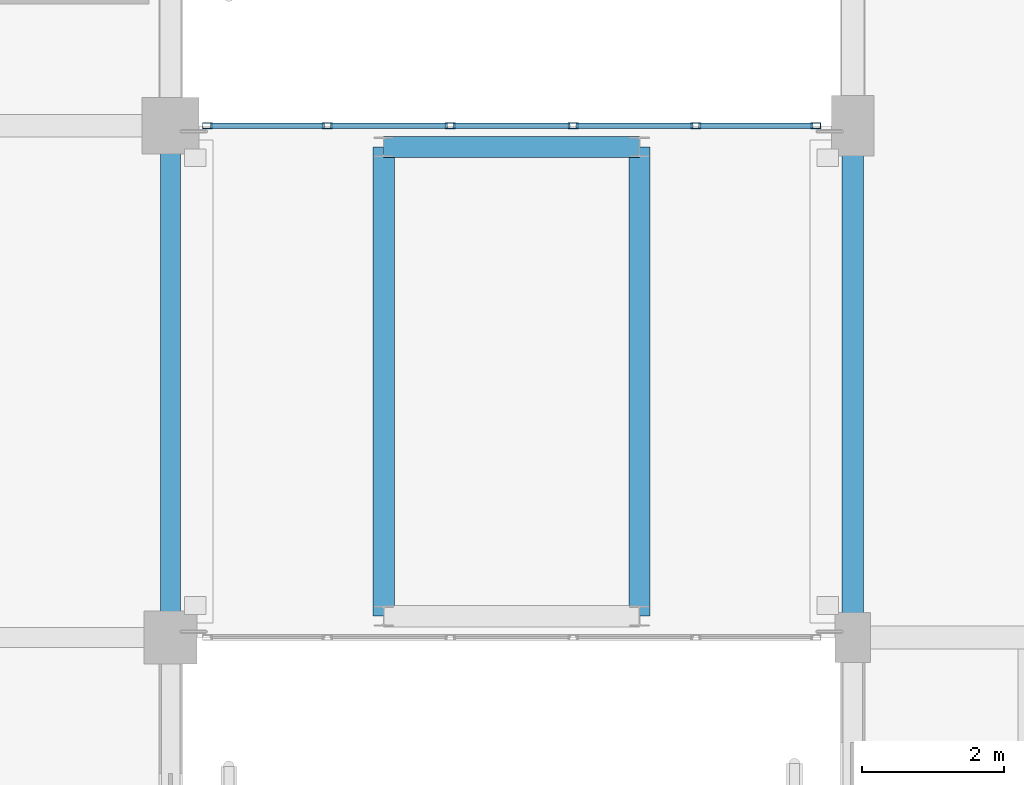
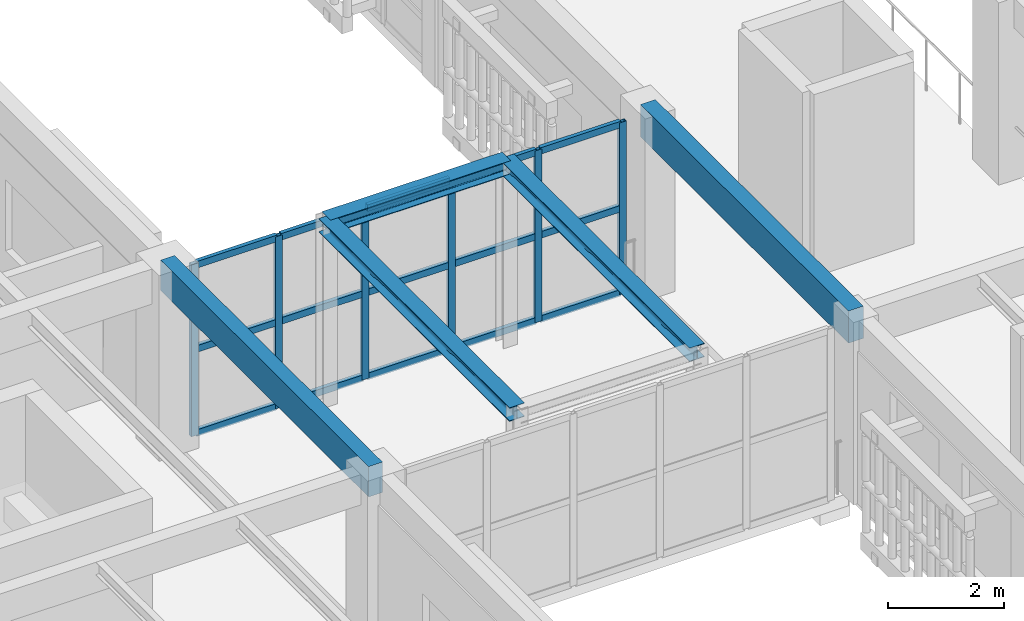
# One storey, part 50 of 170: 21 members, 5 beams, 1 element without a shape of its own.
"""IFC4 building model written with IfcOpenShell, lengths in metres."""

from ifc_helpers import new_model, si_unit, direction, frame, origin, origin_2d, place, context, subcontext, project, spatial, rectangle, hollow_rectangle, i_section, extrude, material, layer, layer_set, material_profile, profile_set, type_object, element, aggregate, save


model = new_model("IFC4")

# Units and contexts
model_context = context("Model", 3, precision=1e-05, world=origin(), true_north=direction((0.0, 1.0)))
body_context = subcontext(model_context, "Body", "Model", "MODEL_VIEW")
ifc_project = project(units=[si_unit("LENGTHUNIT", "METRE"), si_unit("AREAUNIT", "SQUARE_METRE"), si_unit("VOLUMEUNIT", "CUBIC_METRE"), si_unit("PLANEANGLEUNIT", "RADIAN"), si_unit("MASSUNIT", "GRAM", prefix="KILO")], contexts=[model_context])

# Site, building, storey
site_placement = place(None, origin())
site = spatial("IfcSite", under=ifc_project, at=site_placement, CompositionType="ELEMENT")
building_placement = place(site_placement, origin())
building = spatial("IfcBuilding", under=site, at=building_placement, Name="Mazaris Harbour Polytechnic", CompositionType="ELEMENT")
storey_placement = place(building_placement, frame((0.0, 0.0, 5.39990234375)))
storey = spatial("IfcBuildingStorey", under=building, at=storey_placement, Name="L01", CompositionType="ELEMENT", Elevation=5.39990234375)

# Curtain wall, members
ifc_material_1 = material(Name="Anodised Bronze Aluminium and Low-E Glass", Category="aluminium")
ifc_layer = layer(ifc_material_1, 0.139892578125, Name="Anodised Bronze Aluminium and Low-E Glass")
ifc_layer_set = layer_set([ifc_layer], Name="Anodised Bronze Aluminium and Low-E Glass")
curtain_wall_type = type_object("IfcCurtainWallType", Name="Seismic Link Bridge Glazing", PredefinedType="NOTDEFINED", material=ifc_layer_set)
curtain_wall_placement = place(storey_placement, origin())
curtain_wall = element("IfcCurtainWall", 1, at=curtain_wall_placement, inside=storey, type_object=curtain_wall_type, Name="PB-E1 L01 Bridge Glazing", PredefinedType="NOTDEFINED")
ifc_material_2 = material(Name="Anodised Bronze Steel S355", Category="steel")
ifc_material_profile_1 = material_profile(ifc_material_2, hollow_rectangle(XDim=0.080078125, YDim=0.139892578125, WallThickness=0.00634765625, at=origin_2d()), Name="RHS 80x140x6.3")
ifc_profile_set_1 = profile_set([ifc_material_profile_1], Name="Anodised Bronze Steel S355")
member_type_1 = type_object("IfcMemberType", Name="Curtain Mullion RHS80x140", PredefinedType="MULLION", material=ifc_profile_set_1)
member_1_placement = place(storey_placement, frame((121.8798828125, 28.800048828125, 0.0), z_axis=(0.0, 0.0, 1.0), x_axis=(0.0, -1.0, 0.0)))
member_1 = element("IfcMember", 2, at=member_1_placement, type_object=member_type_1, Name="CW-05 mullion 1", PredefinedType="MULLION", context=body_context, shape_type="SweptSolid", body=[
    extrude(hollow_rectangle(XDim=0.080078125, YDim=0.139892578125, WallThickness=0.00634765625, at=origin_2d()), origin(), (0.0, 0.0, 1.0), 3.635009765625),
])
member_2_placement = place(storey_placement, frame((120.19189453125, 28.800048828125, 0.0), z_axis=(0.0, 0.0, 1.0), x_axis=(0.0, -1.0, 0.0)))
member_2 = element("IfcMember", 3, at=member_2_placement, type_object=member_type_1, Name="CW-05 mullion 2", PredefinedType="MULLION", context=body_context, shape_type="SweptSolid", body=[
    extrude(hollow_rectangle(XDim=0.080078125, YDim=0.139892578125, WallThickness=0.00634765625, at=origin_2d()), origin(), (0.0, 0.0, 1.0), 3.635009765625),
])
member_3_placement = place(storey_placement, frame((118.464111328125, 28.800048828125, 0.0), z_axis=(0.0, 0.0, 1.0), x_axis=(0.0, -1.0, 0.0)))
member_3 = element("IfcMember", 4, at=member_3_placement, type_object=member_type_1, Name="CW-05 mullion 3", PredefinedType="MULLION", context=body_context, shape_type="SweptSolid", body=[
    extrude(hollow_rectangle(XDim=0.080078125, YDim=0.139892578125, WallThickness=0.00634765625, at=origin_2d()), origin(), (0.0, 0.0, 1.0), 3.635009765625),
])
member_4_placement = place(storey_placement, frame((116.736083984375, 28.800048828125, 0.0), z_axis=(0.0, 0.0, 1.0), x_axis=(0.0, -1.0, 0.0)))
member_4 = element("IfcMember", 5, at=member_4_placement, type_object=member_type_1, Name="CW-05 mullion 4", PredefinedType="MULLION", context=body_context, shape_type="SweptSolid", body=[
    extrude(hollow_rectangle(XDim=0.080078125, YDim=0.139892578125, WallThickness=0.00634765625, at=origin_2d()), origin(), (0.0, 0.0, 1.0), 3.635009765625),
])
member_5_placement = place(storey_placement, frame((115.008056640625, 28.800048828125, 0.0), z_axis=(0.0, 0.0, 1.0), x_axis=(0.0, -1.0, 0.0)))
member_5 = element("IfcMember", 6, at=member_5_placement, type_object=member_type_1, Name="CW-05 mullion 5", PredefinedType="MULLION", context=body_context, shape_type="SweptSolid", body=[
    extrude(hollow_rectangle(XDim=0.080078125, YDim=0.139892578125, WallThickness=0.00634765625, at=origin_2d()), origin(), (0.0, 0.0, 1.0), 3.635009765625),
])
member_6_placement = place(storey_placement, frame((113.320068359375, 28.800048828125, 0.0), z_axis=(0.0, 0.0, 1.0), x_axis=(0.0, -1.0, 0.0)))
member_6 = element("IfcMember", 7, at=member_6_placement, type_object=member_type_1, Name="CW-05 mullion 6", PredefinedType="MULLION", context=body_context, shape_type="SweptSolid", body=[
    extrude(hollow_rectangle(XDim=0.080078125, YDim=0.139892578125, WallThickness=0.00634765625, at=origin_2d()), origin(), (0.0, 0.0, 1.0), 3.635009765625),
])
ifc_material_3 = material(Name="Anodised Bronze Steel S355", Category="steel")
ifc_material_profile_2 = material_profile(ifc_material_3, hollow_rectangle(XDim=0.080078125, YDim=0.139892578125, WallThickness=0.00634765625, at=origin_2d()), Name="RHS 80x140x6.3")
ifc_profile_set_2 = profile_set([ifc_material_profile_2], Name="Anodised Bronze Steel S355")
member_type_2 = type_object("IfcMemberType", Name="Curtain Transom RHS80x140", PredefinedType="USERDEFINED", material=ifc_profile_set_2)
member_7_placement = place(storey_placement, frame((121.840087890625, 28.800048828125, 0.0400390625), z_axis=(-1.0, 0.0, 0.0), x_axis=(0.0, -1.0, 0.0)))
member_7 = element("IfcMember", 8, at=member_7_placement, type_object=member_type_2, Name="CW-05 transom 1.1", ObjectType="TRANSOM", PredefinedType="USERDEFINED", context=body_context, shape_type="SweptSolid", body=[
    extrude(hollow_rectangle(XDim=0.080078125, YDim=0.139892578125, WallThickness=0.00634765625, at=origin_2d()), origin(), (0.0, 0.0, 1.0), 1.608154296875),
])
member_8_placement = place(storey_placement, frame((121.840087890625, 28.800048828125, 1.817626953125), z_axis=(-1.0, 0.0, 0.0), x_axis=(0.0, -1.0, 0.0)))
member_8 = element("IfcMember", 9, at=member_8_placement, type_object=member_type_2, Name="CW-05 transom 1.2", ObjectType="TRANSOM", PredefinedType="USERDEFINED", context=body_context, shape_type="SweptSolid", body=[
    extrude(hollow_rectangle(XDim=0.080078125, YDim=0.139892578125, WallThickness=0.00634765625, at=origin_2d()), origin(), (0.0, 0.0, 1.0), 1.608154296875),
])
member_9_placement = place(storey_placement, frame((121.840087890625, 28.800048828125, 3.59521484375), z_axis=(-1.0, 0.0, 0.0), x_axis=(0.0, -1.0, 0.0)))
member_9 = element("IfcMember", 10, at=member_9_placement, type_object=member_type_2, Name="CW-05 transom 1.3", ObjectType="TRANSOM", PredefinedType="USERDEFINED", context=body_context, shape_type="SweptSolid", body=[
    extrude(hollow_rectangle(XDim=0.080078125, YDim=0.139892578125, WallThickness=0.00634765625, at=origin_2d()), origin(), (0.0, 0.0, 1.0), 1.608154296875),
])
member_10_placement = place(storey_placement, frame((120.152099609375, 28.800048828125, 0.0400390625), z_axis=(-1.0, 0.0, 0.0), x_axis=(0.0, -1.0, 0.0)))
member_10 = element("IfcMember", 11, at=member_10_placement, type_object=member_type_2, Name="CW-05 transom 2.1", ObjectType="TRANSOM", PredefinedType="USERDEFINED", context=body_context, shape_type="SweptSolid", body=[
    extrude(hollow_rectangle(XDim=0.080078125, YDim=0.139892578125, WallThickness=0.00634765625, at=origin_2d()), origin(), (0.0, 0.0, 1.0), 1.648193359375),
])
member_11_placement = place(storey_placement, frame((120.152099609375, 28.800048828125, 1.817626953125), z_axis=(-1.0, 0.0, 0.0), x_axis=(0.0, -1.0, 0.0)))
member_11 = element("IfcMember", 12, at=member_11_placement, type_object=member_type_2, Name="CW-05 transom 2.2", ObjectType="TRANSOM", PredefinedType="USERDEFINED", context=body_context, shape_type="SweptSolid", body=[
    extrude(hollow_rectangle(XDim=0.080078125, YDim=0.139892578125, WallThickness=0.00634765625, at=origin_2d()), origin(), (0.0, 0.0, 1.0), 1.648193359375),
])
member_12_placement = place(storey_placement, frame((120.152099609375, 28.800048828125, 3.59521484375), z_axis=(-1.0, 0.0, 0.0), x_axis=(0.0, -1.0, 0.0)))
member_12 = element("IfcMember", 13, at=member_12_placement, type_object=member_type_2, Name="CW-05 transom 2.3", ObjectType="TRANSOM", PredefinedType="USERDEFINED", context=body_context, shape_type="SweptSolid", body=[
    extrude(hollow_rectangle(XDim=0.080078125, YDim=0.139892578125, WallThickness=0.00634765625, at=origin_2d()), origin(), (0.0, 0.0, 1.0), 1.648193359375),
])
member_13_placement = place(storey_placement, frame((118.424072265625, 28.800048828125, 0.0400390625), z_axis=(-1.0, 0.0, 0.0), x_axis=(0.0, -1.0, 0.0)))
member_13 = element("IfcMember", 14, at=member_13_placement, type_object=member_type_2, Name="CW-05 transom 3.1", ObjectType="TRANSOM", PredefinedType="USERDEFINED", context=body_context, shape_type="SweptSolid", body=[
    extrude(hollow_rectangle(XDim=0.080078125, YDim=0.139892578125, WallThickness=0.00634765625, at=origin_2d()), origin(), (0.0, 0.0, 1.0), 1.648193359375),
])
member_14_placement = place(storey_placement, frame((118.424072265625, 28.800048828125, 1.817626953125), z_axis=(-1.0, 0.0, 0.0), x_axis=(0.0, -1.0, 0.0)))
member_14 = element("IfcMember", 15, at=member_14_placement, type_object=member_type_2, Name="CW-05 transom 3.2", ObjectType="TRANSOM", PredefinedType="USERDEFINED", context=body_context, shape_type="SweptSolid", body=[
    extrude(hollow_rectangle(XDim=0.080078125, YDim=0.139892578125, WallThickness=0.00634765625, at=origin_2d()), origin(), (0.0, 0.0, 1.0), 1.648193359375),
])
member_15_placement = place(storey_placement, frame((118.424072265625, 28.800048828125, 3.59521484375), z_axis=(-1.0, 0.0, 0.0), x_axis=(0.0, -1.0, 0.0)))
member_15 = element("IfcMember", 16, at=member_15_placement, type_object=member_type_2, Name="CW-05 transom 3.3", ObjectType="TRANSOM", PredefinedType="USERDEFINED", context=body_context, shape_type="SweptSolid", body=[
    extrude(hollow_rectangle(XDim=0.080078125, YDim=0.139892578125, WallThickness=0.00634765625, at=origin_2d()), origin(), (0.0, 0.0, 1.0), 1.648193359375),
])
member_16_placement = place(storey_placement, frame((116.696044921875, 28.800048828125, 0.0400390625), z_axis=(-1.0, 0.0, 0.0), x_axis=(0.0, -1.0, 0.0)))
member_16 = element("IfcMember", 17, at=member_16_placement, type_object=member_type_2, Name="CW-05 transom 4.1", ObjectType="TRANSOM", PredefinedType="USERDEFINED", context=body_context, shape_type="SweptSolid", body=[
    extrude(hollow_rectangle(XDim=0.080078125, YDim=0.139892578125, WallThickness=0.00634765625, at=origin_2d()), origin(), (0.0, 0.0, 1.0), 1.64794921875),
])
member_17_placement = place(storey_placement, frame((116.696044921875, 28.800048828125, 1.817626953125), z_axis=(-1.0, 0.0, 0.0), x_axis=(0.0, -1.0, 0.0)))
member_17 = element("IfcMember", 18, at=member_17_placement, type_object=member_type_2, Name="CW-05 transom 4.2", ObjectType="TRANSOM", PredefinedType="USERDEFINED", context=body_context, shape_type="SweptSolid", body=[
    extrude(hollow_rectangle(XDim=0.080078125, YDim=0.139892578125, WallThickness=0.00634765625, at=origin_2d()), origin(), (0.0, 0.0, 1.0), 1.64794921875),
])
member_18_placement = place(storey_placement, frame((116.696044921875, 28.800048828125, 3.59521484375), z_axis=(-1.0, 0.0, 0.0), x_axis=(0.0, -1.0, 0.0)))
member_18 = element("IfcMember", 19, at=member_18_placement, type_object=member_type_2, Name="CW-05 transom 4.3", ObjectType="TRANSOM", PredefinedType="USERDEFINED", context=body_context, shape_type="SweptSolid", body=[
    extrude(hollow_rectangle(XDim=0.080078125, YDim=0.139892578125, WallThickness=0.00634765625, at=origin_2d()), origin(), (0.0, 0.0, 1.0), 1.64794921875),
])
member_19_placement = place(storey_placement, frame((114.968017578125, 28.800048828125, 0.0400390625), z_axis=(-1.0, 0.0, 0.0), x_axis=(0.0, -1.0, 0.0)))
member_19 = element("IfcMember", 20, at=member_19_placement, type_object=member_type_2, Name="CW-05 transom 5.1", ObjectType="TRANSOM", PredefinedType="USERDEFINED", context=body_context, shape_type="SweptSolid", body=[
    extrude(hollow_rectangle(XDim=0.080078125, YDim=0.139892578125, WallThickness=0.00634765625, at=origin_2d()), origin(), (0.0, 0.0, 1.0), 1.60791015625),
])
member_20_placement = place(storey_placement, frame((114.968017578125, 28.800048828125, 1.817626953125), z_axis=(-1.0, 0.0, 0.0), x_axis=(0.0, -1.0, 0.0)))
member_20 = element("IfcMember", 21, at=member_20_placement, type_object=member_type_2, Name="CW-05 transom 5.2", ObjectType="TRANSOM", PredefinedType="USERDEFINED", context=body_context, shape_type="SweptSolid", body=[
    extrude(hollow_rectangle(XDim=0.080078125, YDim=0.139892578125, WallThickness=0.00634765625, at=origin_2d()), origin(), (0.0, 0.0, 1.0), 1.60791015625),
])
member_21_placement = place(storey_placement, frame((114.968017578125, 28.800048828125, 3.59521484375), z_axis=(-1.0, 0.0, 0.0), x_axis=(0.0, -1.0, 0.0)))
member_21 = element("IfcMember", 22, at=member_21_placement, type_object=member_type_2, Name="CW-05 transom 5.3", ObjectType="TRANSOM", PredefinedType="USERDEFINED", context=body_context, shape_type="SweptSolid", body=[
    extrude(hollow_rectangle(XDim=0.080078125, YDim=0.139892578125, WallThickness=0.00634765625, at=origin_2d()), origin(), (0.0, 0.0, 1.0), 1.60791015625),
])
aggregate(curtain_wall, [member_1, member_2, member_3, member_4, member_5, member_6, member_7, member_8, member_9, member_10, member_11, member_12, member_13, member_14, member_15, member_16, member_17, member_18, member_19, member_20, member_21])

# Beams
ifc_material_4 = material(Name="Glulam GL32h", Category="wood")
ifc_material_profile_3 = material_profile(ifc_material_4, rectangle(XDim=0.280029296875, YDim=0.639892578125, at=origin_2d()), Name="RECT280x640")
ifc_profile_set_3 = profile_set([ifc_material_profile_3], Name="Glulam GL32h")
beam_type_1 = type_object("IfcBeamType", Name="Glulam Girder 280x640 Exterior", PredefinedType="BEAM", material=ifc_profile_set_3)
beam_1_placement = place(storey_placement, frame((112.800048828125, 21.60009765625, 3.60009765625), z_axis=(0.0, 1.0, 0.0), x_axis=(-1.0, 0.0, 0.0)))
element("IfcBeam", 23, at=beam_1_placement, inside=storey, type_object=beam_type_1, Name="V3 L01 Tie Girder 1017", PredefinedType="BEAM", context=body_context, shape_type="SweptSolid", body=[
    extrude(rectangle(XDim=0.280029296875, YDim=0.639892578125, at=origin_2d()), origin(), (0.0, 0.0, 1.0), 7.199951171875),
])
ifc_material_5 = material(Name="Glulam GL32h", Category="wood")
ifc_material_profile_4 = material_profile(ifc_material_5, rectangle(XDim=0.300048828125, YDim=0.679931640625, at=origin_2d()), Name="RECT300x680")
ifc_profile_set_4 = profile_set([ifc_material_profile_4], Name="Glulam GL32h")
beam_type_2 = type_object("IfcBeamType", Name="Glulam Girder 300x680 Exterior", PredefinedType="BEAM", material=ifc_profile_set_4)
beam_2_placement = place(storey_placement, frame((122.39990234375, 21.60009765625, 3.510009765625), z_axis=(0.0, 1.0, 0.0), x_axis=(-1.0, 0.0, 0.0)))
element("IfcBeam", 24, at=beam_2_placement, inside=storey, type_object=beam_type_2, Name="V2 L01 Tie Girder 558", PredefinedType="BEAM", context=body_context, shape_type="SweptSolid", body=[
    extrude(rectangle(XDim=0.300048828125, YDim=0.679931640625, at=origin_2d()), origin(), (0.0, 0.0, 1.0), 7.199951171875),
])
ifc_material_6 = material(Name="Steel S355", Category="steel")
ifc_material_profile_5 = material_profile(ifc_material_6, i_section(OverallWidth=0.300048828125, OverallDepth=0.2900390625, WebThickness=0.008544921875, FlangeThickness=0.013916015625, FilletRadius=0.027099609375, at=origin_2d()), Name="HEA 300")
ifc_profile_set_5 = profile_set([ifc_material_profile_5], Name="Steel S355")
beam_type_3 = type_object("IfcBeamType", Name="Steel Beam HEA300 Exterior", PredefinedType="SPANDREL", material=ifc_profile_set_5)
for number, where, z_axis, x_axis, name in (
    (25, (115.800048828125, 21.89990234375, 3.7900390625), (0.0, 1.0, 0.0), (-1.0, 0.0, 0.0), "PB-E1 L01 Bridge Beam 3444"),
    (26, (119.39990234375, 21.89990234375, 3.7900390625), (0.0, 1.0, 0.0), (-1.0, 0.0, 0.0), "PB-E1 L01 Bridge Beam 3445"),
):
    element("IfcBeam", number, at=place(storey_placement, frame(where, z_axis=z_axis, x_axis=x_axis)), inside=storey, type_object=beam_type_3, Name=name, PredefinedType="SPANDREL", context=body_context, shape_type="SweptSolid", body=[
        extrude(i_section(OverallWidth=0.300048828125, OverallDepth=0.2900390625, WebThickness=0.008544921875, FlangeThickness=0.013916015625, FilletRadius=0.027099609375, at=origin_2d()), origin(), (0.0, 0.0, 1.0), 6.60009765625),
    ])
beam_3_placement = place(storey_placement, frame((115.800048828125, 28.5, 3.7900390625), z_axis=(1.0, 0.0, 0.0), x_axis=(0.0, 1.0, 0.0)))
element("IfcBeam", 27, at=beam_3_placement, inside=storey, type_object=beam_type_3, Name="PB-E1 L01 Bridge Beam 3446", PredefinedType="SPANDREL", context=body_context, shape_type="SweptSolid", body=[
    extrude(i_section(OverallWidth=0.300048828125, OverallDepth=0.2900390625, WebThickness=0.008544921875, FlangeThickness=0.013916015625, FilletRadius=0.027099609375, at=origin_2d()), origin(), (0.0, 0.0, 1.0), 3.599853515625),
])

save(model, "model.ifc")
